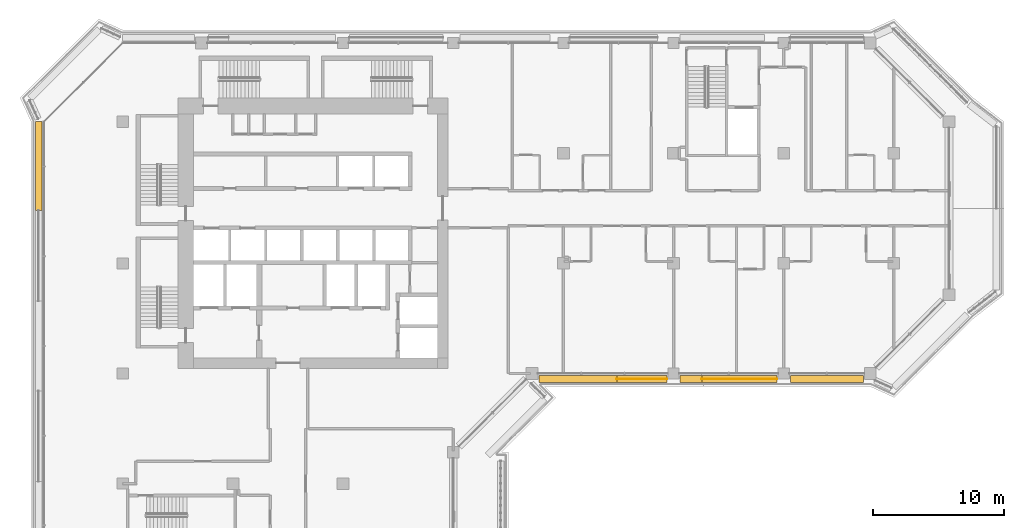
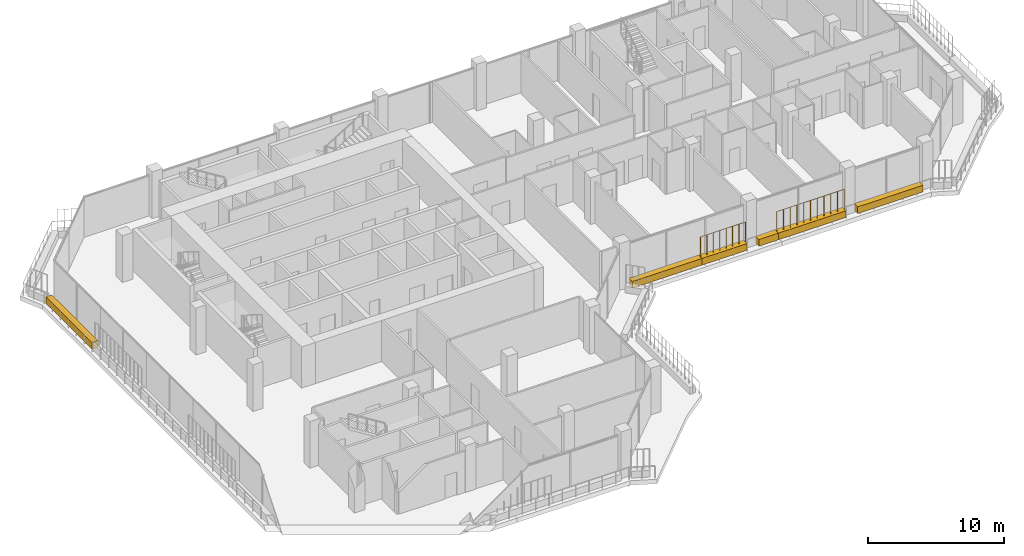
# One storey, part 20 of 23: 6 coverings, 2 railings.
"""IFC4 building model written with IfcOpenShell, lengths in metres."""

import ifcopenshell
import ifcopenshell.guid

model = None  # the IFC model being written
_history = None  # IfcOwnerHistory: only IFC2X3 demands one
_inside = {}  # id of a spatial element -> (the spatial element, [elements in it])
_under = {}  # id of a project, library or spatial element -> (it, [spatial elements below it])
_declared = {}  # id of a project -> (the project, [libraries it declares])
_typed = {}  # id of a type object -> (the type object, [elements of that type])
_made_of = {}  # id of a material, layer set ... -> (it, [elements and type objects made of it])


def new_model(schema):
    """Start an empty IFC model of exactly this schema.

    Asked for "IFC4X3", IfcOpenShell would pick the latest addendum, in which some entities
    have other attributes; the version numbers below select the first issue.
    IFC2X3 requires an IfcOwnerHistory on every rooted entity: one is made here for all.
    """
    global model, _history
    if schema == "IFC4X3":
        model = ifcopenshell.file(schema_version=(4, 3, 0, 0))
    else:
        model = ifcopenshell.file(schema=schema)
    _inside.clear()
    _under.clear()
    _declared.clear()
    _typed.clear()
    _made_of.clear()
    _history = None
    if model.schema == "IFC2X3":
        org = make("IfcOrganization", Name="unknown")
        user = make(
            "IfcPersonAndOrganization",
            ThePerson=make("IfcPerson", FamilyName="unknown"),
            TheOrganization=org,
        )
        app = make(
            "IfcApplication",
            ApplicationDeveloper=org,
            Version="unknown",
            ApplicationFullName="unknown",
            ApplicationIdentifier="unknown",
        )
        _history = make(
            "IfcOwnerHistory",
            OwningUser=user,
            OwningApplication=app,
            ChangeAction="ADDED",
            CreationDate=0,
        )
    return model


def make(cls, **values):
    """One entity of the class cls with the attributes given. An attribute that is None is left unset."""
    return model.create_entity(
        cls, **{name: value for name, value in values.items() if value is not None}
    )


def rooted(cls, **values):
    """An entity with a GlobalId (a new one), such as an element, a storey or a relation."""
    return make(cls, GlobalId=ifcopenshell.guid.new(), OwnerHistory=_history, **values)


def si_unit(unit_type, name, prefix=None):
    """IfcSIUnit, for example si_unit("LENGTHUNIT", "METRE", prefix="MILLI")."""
    return make("IfcSIUnit", UnitType=unit_type, Prefix=prefix, Name=name)


def assignment(units):
    """IfcUnitAssignment: the units of a project."""
    return None if units is None else make("IfcUnitAssignment", Units=units)


def point(xyz):
    """IfcCartesianPoint."""
    return None if xyz is None else make("IfcCartesianPoint", Coordinates=xyz)


def direction(xyz):
    """IfcDirection."""
    return None if xyz is None else make("IfcDirection", DirectionRatios=xyz)


def frame(location, z_axis=None, x_axis=None):
    """IfcAxis2Placement3D, a coordinate frame: its origin and axes. An axis left out is left unset."""
    return make(
        "IfcAxis2Placement3D",
        Location=point(location),
        Axis=direction(z_axis),
        RefDirection=direction(x_axis),
    )


def frame_2d(location, x_axis=None):
    """IfcAxis2Placement2D, a coordinate frame in the plane: its origin and x axis."""
    return make(
        "IfcAxis2Placement2D", Location=point(location), RefDirection=direction(x_axis)
    )


def origin():
    """The frame at (0, 0, 0) with its axes left unset."""
    return frame((0.0, 0.0, 0.0))


def origin_2d():
    """The frame at (0, 0) in the plane with its x axis left unset."""
    return frame_2d((0.0, 0.0))


def place(relative_to, where):
    """IfcLocalPlacement: puts the frame where relative to a parent placement (None: the world)."""
    return make(
        "IfcLocalPlacement", PlacementRelTo=relative_to, RelativePlacement=where
    )


def context(
    kind, dimensions, precision=None, world=None, true_north=None, identifier=None
):
    """IfcGeometricRepresentationContext, for example the 3D "Model" context."""
    return make(
        "IfcGeometricRepresentationContext",
        ContextIdentifier=identifier,
        ContextType=kind,
        CoordinateSpaceDimension=dimensions,
        Precision=precision,
        WorldCoordinateSystem=world,
        TrueNorth=true_north,
    )


def subcontext(parent, identifier, kind, view, scale=None):
    """IfcGeometricRepresentationSubContext, for example "Body" below "Model"."""
    return make(
        "IfcGeometricRepresentationSubContext",
        ContextIdentifier=identifier,
        ContextType=kind,
        ParentContext=parent,
        TargetScale=scale,
        TargetView=view,
    )


def project(units=None, contexts=None):
    """IfcProject with its units and contexts."""
    return rooted(
        "IfcProject",
        Name="project",
        RepresentationContexts=contexts,
        UnitsInContext=assignment(units),
    )


def spatial(cls, under=None, at=None, **own):
    """A site, building, storey or space (cls), placed at a placement, below another one or the project."""
    s = rooted(cls, ObjectPlacement=at, **own)
    if under is not None:
        _under.setdefault(under.id(), (under, []))[1].append(s)
    return s


def profile(cls, at=None, kind="AREA", **sizes):
    """A parametric profile (cls). Its sizes go by their IFC names, for example OverallWidth=200.0."""
    return make(cls, ProfileType=kind, Position=at, **sizes)


def rectangle(**sizes):
    """IfcRectangleProfileDef."""
    return profile("IfcRectangleProfileDef", **sizes)


def circle(**sizes):
    """IfcCircleProfileDef."""
    return profile("IfcCircleProfileDef", **sizes)


def extrude(swept, where, along, depth):
    """IfcExtrudedAreaSolid: the profile swept, set in the frame where, extruded along a direction by depth."""
    return make(
        "IfcExtrudedAreaSolid",
        SweptArea=swept,
        Position=where,
        ExtrudedDirection=direction(along),
        Depth=depth,
    )


def shape(context_of_items, identifier, shape_type, items):
    """IfcShapeRepresentation: the items that make up one representation, for example the "Body"."""
    return make(
        "IfcShapeRepresentation",
        ContextOfItems=context_of_items,
        RepresentationIdentifier=identifier,
        RepresentationType=shape_type,
        Items=items,
    )


def material(Name=None, Category=None):
    """IfcMaterial."""
    return make("IfcMaterial", Name=Name, Category=Category)


def material_profile(
    of_material, cross_section, Name=None, Category=None, Priority=None
):
    """IfcMaterialProfile: a cross section and its material."""
    return make(
        "IfcMaterialProfile",
        Name=Name,
        Material=of_material,
        Profile=cross_section,
        Priority=Priority,
        Category=Category,
    )


def profile_set(profiles, Name=None, composite=None):
    """IfcMaterialProfileSet."""
    return make(
        "IfcMaterialProfileSet",
        Name=Name,
        MaterialProfiles=profiles,
        CompositeProfile=composite,
    )


def made_of(thing, what):
    """Note that an element or type object is made of a material, layer set ...; save() writes the relation."""
    if what is not None:
        _made_of.setdefault(what.id(), (what, []))[1].append(thing)
    return thing


def type_object(cls, material=None, **own):
    """A type object (cls), such as IfcWallType, which elements share."""
    return made_of(rooted(cls, **own), material)


def element(
    cls,
    number,
    at=None,
    inside=None,
    cuts=None,
    type_object=None,
    material=None,
    context=None,
    identifier="Body",
    shape_type=None,
    held_by="IfcProductDefinitionShape",
    body=None,
    shapes=None,
    **own,
):
    """One element of the class cls, such as IfcWall. Its Tag is "e" and its number.

    at: its placement. inside: the storey or other place that contains it. cuts: it is an
    opening in that element (IfcRelVoidsElement). A single representation is given by context,
    identifier, shape_type and body (its items); several are given by shapes. held_by: the class
    of the entity that holds the representations. save() writes the other relations.
    """
    e = rooted(cls, Tag="e%d" % number, ObjectPlacement=at, **own)
    if body is not None:
        shapes = [shape(context, identifier, shape_type, body)]
    if shapes is not None:
        e.Representation = make(held_by, Representations=shapes)
    if inside is not None:
        _inside.setdefault(inside.id(), (inside, []))[1].append(e)
    if cuts is not None:
        rooted(
            "IfcRelVoidsElement", RelatingBuildingElement=cuts, RelatedOpeningElement=e
        )
    if type_object is not None:
        _typed.setdefault(type_object.id(), (type_object, []))[1].append(e)
    return made_of(e, material)


def aggregate(whole, parts):
    """IfcRelAggregates: a whole, such as a stair, and the parts it consists of."""
    return rooted("IfcRelAggregates", RelatingObject=whole, RelatedObjects=parts)


def save(model, path):
    """Write the relations noted so far, then the file.

    IfcRelAggregates (storeys below a building ...), IfcRelContainedInSpatialStructure (elements
    in a storey), IfcRelDefinesByType, IfcRelAssociatesMaterial and IfcRelDeclares: one each for
    every whole, place, type object, material and project.
    """
    for whole, parts in _under.values():
        aggregate(whole, parts)
    for where, things in _inside.values():
        rooted(
            "IfcRelContainedInSpatialStructure",
            RelatedElements=things,
            RelatingStructure=where,
        )
    for kind, things in _typed.values():
        rooted("IfcRelDefinesByType", RelatedObjects=things, RelatingType=kind)
    for what, things in _made_of.values():
        rooted("IfcRelAssociatesMaterial", RelatedObjects=things, RelatingMaterial=what)
    for by, libraries in _declared.values():
        rooted("IfcRelDeclares", RelatingContext=by, RelatedDefinitions=libraries)
    model.write(path)


model = new_model("IFC4")

# Units and contexts
model_context = context("Model", 3, precision=1e-05, world=origin(), true_north=direction((0.0, 1.0)))
body_context = subcontext(model_context, "Body", "Model", "MODEL_VIEW")
ifc_project = project(units=[si_unit("LENGTHUNIT", "METRE"), si_unit("AREAUNIT", "SQUARE_METRE"), si_unit("VOLUMEUNIT", "CUBIC_METRE"), si_unit("PLANEANGLEUNIT", "RADIAN"), si_unit("MASSUNIT", "GRAM", prefix="KILO")], contexts=[model_context])

# Site, building, storey
site_placement = place(None, origin())
site = spatial("IfcSite", under=ifc_project, at=site_placement, CompositionType="ELEMENT")
building_placement = place(site_placement, origin())
building = spatial("IfcBuilding", under=site, at=building_placement, Name="Kawkab Arch Medical Tower", CompositionType="ELEMENT")
storey_placement = place(building_placement, frame((0.0, 0.0, 268.39990234375)))
storey = spatial("IfcBuildingStorey", under=building, at=storey_placement, Name="L62", CompositionType="ELEMENT", Elevation=268.39990234375)

# Coverings
ifc_material_1 = material(Name="Planting soil in a precast trough", Category="concrete")
ifc_material_profile = material_profile(ifc_material_1, rectangle(XDim=0.5, YDim=0.60009765625, at=origin_2d()), Name="Trough 500x600")
ifc_profile_set = profile_set([ifc_material_profile], Name="Planting soil in a precast trough")
covering_type = type_object("IfcCoveringType", Name="Planter trough 500 x 600", PredefinedType="USERDEFINED", material=ifc_profile_set)
covering_1_placement = place(storey_placement, frame((-6.419921875, -12.763916015625, 0.300048828125), z_axis=(0.0, 1.0, 0.0), x_axis=(-1.0, 0.0, 0.0)))
element("IfcCovering", 1, at=covering_1_placement, inside=storey, type_object=covering_type, Name="Planter L62.LOG-01-01.12", ObjectType="PLANTER", PredefinedType="USERDEFINED", context=body_context, shape_type="SweptSolid", body=[
    extrude(rectangle(XDim=0.5, YDim=0.60009765625, at=origin_2d()), origin(), (0.0, 0.0, 1.0), 6.789794921875),
])
covering_2_placement = place(storey_placement, frame((56.469970703125, -25.6201171875, 0.300048828125), z_axis=(-1.0, 0.0, 0.0), x_axis=(0.0, -1.0, 0.0)))
element("IfcCovering", 2, at=covering_2_placement, inside=storey, type_object=covering_type, Name="Planter L62.LOG-01-01.32", ObjectType="PLANTER", PredefinedType="USERDEFINED", context=body_context, shape_type="SweptSolid", body=[
    extrude(rectangle(XDim=0.5, YDim=0.60009765625, at=origin_2d()), origin(), (0.0, 0.0, 1.0), 5.56494140625),
])
covering_3_placement = place(storey_placement, frame((49.89501953125, -25.6201171875, 0.300048828125), z_axis=(-1.0, 0.0, 0.0), x_axis=(0.0, -1.0, 0.0)))
element("IfcCovering", 3, at=covering_3_placement, inside=storey, type_object=covering_type, Name="Planter L62.LOG-01-01.33", ObjectType="PLANTER", PredefinedType="USERDEFINED", context=body_context, shape_type="SweptSolid", body=[
    extrude(rectangle(XDim=0.5, YDim=0.60009765625, at=origin_2d()), origin(), (0.0, 0.0, 1.0), 5.739990234375),
])
covering_4_placement = place(storey_placement, frame((44.155029296875, -25.6201171875, 0.300048828125), z_axis=(-1.0, 0.0, 0.0), x_axis=(0.0, -1.0, 0.0)))
element("IfcCovering", 4, at=covering_4_placement, inside=storey, type_object=covering_type, Name="Planter L62.LOG-01-01.34", ObjectType="PLANTER", PredefinedType="USERDEFINED", context=body_context, shape_type="SweptSolid", body=[
    extrude(rectangle(XDim=0.5, YDim=0.60009765625, at=origin_2d()), origin(), (0.0, 0.0, 1.0), 1.650146484375),
])
covering_5_placement = place(storey_placement, frame((41.4951171875, -25.6201171875, 0.300048828125), z_axis=(-1.0, 0.0, 0.0), x_axis=(0.0, -1.0, 0.0)))
element("IfcCovering", 5, at=covering_5_placement, inside=storey, type_object=covering_type, Name="Planter L62.LOG-01-01.35", ObjectType="PLANTER", PredefinedType="USERDEFINED", context=body_context, shape_type="SweptSolid", body=[
    extrude(rectangle(XDim=0.5, YDim=0.60009765625, at=origin_2d()), origin(), (0.0, 0.0, 1.0), 3.8251953125),
])
covering_6_placement = place(storey_placement, frame((37.669921875, -25.6201171875, 0.300048828125), z_axis=(-1.0, 0.0, 0.0), x_axis=(0.0, -1.0, 0.0)))
element("IfcCovering", 6, at=covering_6_placement, inside=storey, type_object=covering_type, Name="Planter L62.LOG-01-01.36", ObjectType="PLANTER", PredefinedType="USERDEFINED", context=body_context, shape_type="SweptSolid", body=[
    extrude(rectangle(XDim=0.5, YDim=0.60009765625, at=origin_2d()), origin(), (0.0, 0.0, 1.0), 5.93994140625),
])

# Railings
ifc_material_2 = material(Name="Bronze anodised aluminium trellis for climbing plants", Category="aluminium")
railing_type = type_object("IfcRailingType", Name="Planting trellis 2400", PredefinedType="USERDEFINED", material=ifc_material_2)
railing_1_placement = place(storey_placement, frame((49.89501953125, -25.6201171875, 0.0)))
element("IfcRailing", 7, at=railing_1_placement, inside=storey, type_object=railing_type, Name="Planting trellis L62.LOG-01-01.33", ObjectType="TRELLIS", PredefinedType="USERDEFINED", context=body_context, shape_type="SweptSolid", body=[
    extrude(circle(Radius=0.01513671875, at=origin_2d()), frame((0.0, 0.0, 2.384765625), z_axis=(-1.0, 0.0, 0.0), x_axis=(0.0, -1.0, 0.0)), (0.0, 0.0, 1.0), 5.739990234375),
    extrude(circle(Radius=0.030029296875, at=origin_2d()), origin(), (0.0, 0.0, 1.0), 2.369873046875),
    extrude(circle(Radius=0.030029296875, at=origin_2d()), frame((-0.573974609375, 0.0, 0.0)), (0.0, 0.0, 1.0), 2.369873046875),
    extrude(circle(Radius=0.030029296875, at=origin_2d()), frame((-1.14794921875, 0.0, 0.0)), (0.0, 0.0, 1.0), 2.369873046875),
    extrude(circle(Radius=0.030029296875, at=origin_2d()), frame((-1.721923828125, 0.0, 0.0)), (0.0, 0.0, 1.0), 2.369873046875),
    extrude(circle(Radius=0.030029296875, at=origin_2d()), frame((-2.2958984375, 0.0, 0.0)), (0.0, 0.0, 1.0), 2.369873046875),
    extrude(circle(Radius=0.030029296875, at=origin_2d()), frame((-2.8701171875, 0.0, 0.0)), (0.0, 0.0, 1.0), 2.369873046875),
    extrude(circle(Radius=0.030029296875, at=origin_2d()), frame((-3.444091796875, 0.0, 0.0)), (0.0, 0.0, 1.0), 2.369873046875),
    extrude(circle(Radius=0.030029296875, at=origin_2d()), frame((-4.01806640625, 0.0, 0.0)), (0.0, 0.0, 1.0), 2.369873046875),
    extrude(circle(Radius=0.030029296875, at=origin_2d()), frame((-4.592041015625, 0.0, 0.0)), (0.0, 0.0, 1.0), 2.369873046875),
    extrude(circle(Radius=0.030029296875, at=origin_2d()), frame((-5.166015625, 0.0, 0.0)), (0.0, 0.0, 1.0), 2.369873046875),
    extrude(circle(Radius=0.030029296875, at=origin_2d()), frame((-5.739990234375, 0.0, 0.0)), (0.0, 0.0, 1.0), 2.369873046875),
])
railing_2_placement = place(storey_placement, frame((41.4951171875, -25.6201171875, 0.0)))
element("IfcRailing", 8, at=railing_2_placement, inside=storey, type_object=railing_type, Name="Planting trellis L62.LOG-01-01.35", ObjectType="TRELLIS", PredefinedType="USERDEFINED", context=body_context, shape_type="SweptSolid", body=[
    extrude(circle(Radius=0.01513671875, at=origin_2d()), frame((0.0, 0.0, 2.384765625), z_axis=(-1.0, 0.0, 0.0), x_axis=(0.0, -1.0, 0.0)), (0.0, 0.0, 1.0), 3.8251953125),
    extrude(circle(Radius=0.030029296875, at=origin_2d()), origin(), (0.0, 0.0, 1.0), 2.369873046875),
    extrude(circle(Radius=0.030029296875, at=origin_2d()), frame((-0.54638671875, 0.0, 0.0)), (0.0, 0.0, 1.0), 2.369873046875),
    extrude(circle(Radius=0.030029296875, at=origin_2d()), frame((-1.093017578125, 0.0, 0.0)), (0.0, 0.0, 1.0), 2.369873046875),
    extrude(circle(Radius=0.030029296875, at=origin_2d()), frame((-1.639404296875, 0.0, 0.0)), (0.0, 0.0, 1.0), 2.369873046875),
    extrude(circle(Radius=0.030029296875, at=origin_2d()), frame((-2.185791015625, 0.0, 0.0)), (0.0, 0.0, 1.0), 2.369873046875),
    extrude(circle(Radius=0.030029296875, at=origin_2d()), frame((-2.732177734375, 0.0, 0.0)), (0.0, 0.0, 1.0), 2.369873046875),
    extrude(circle(Radius=0.030029296875, at=origin_2d()), frame((-3.27880859375, 0.0, 0.0)), (0.0, 0.0, 1.0), 2.369873046875),
    extrude(circle(Radius=0.030029296875, at=origin_2d()), frame((-3.8251953125, 0.0, 0.0)), (0.0, 0.0, 1.0), 2.369873046875),
])

save(model, "model.ifc")
